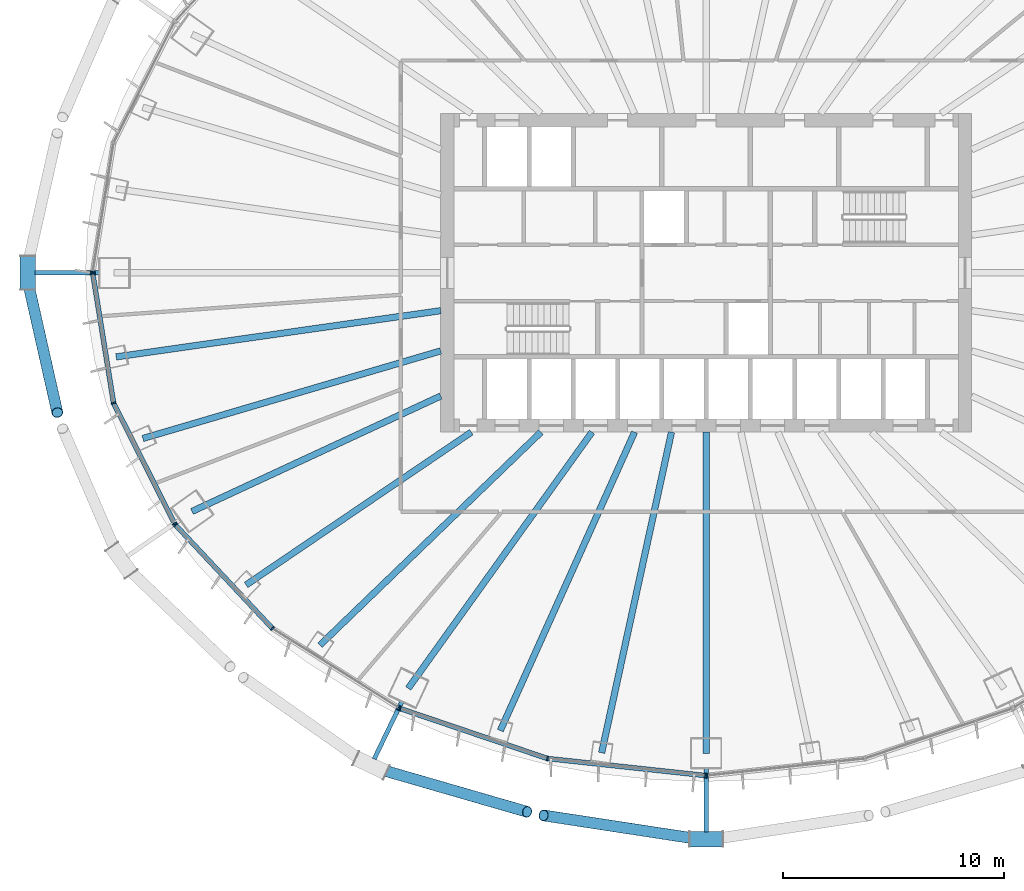
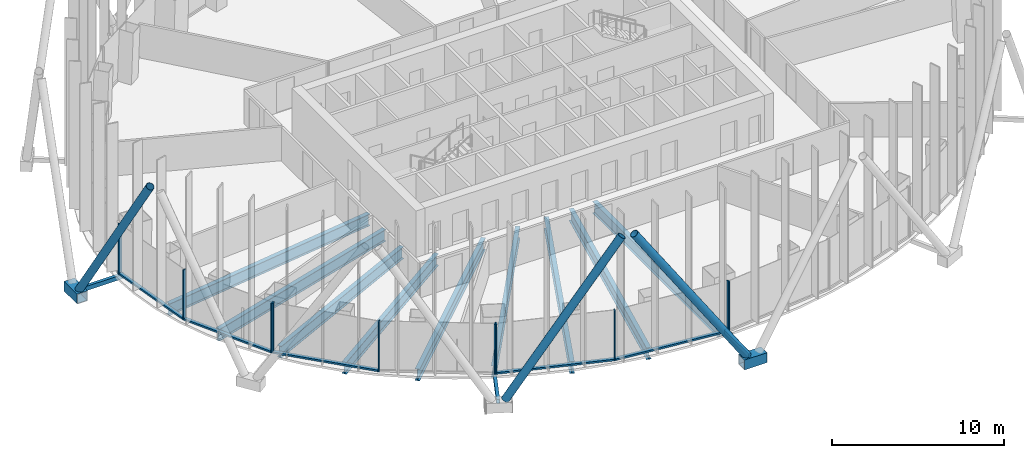
# One storey, part 2 of 22: 24 members, 9 beams, 5 elements without a shape of their own.
"""IFC4 building model written with IfcOpenShell, lengths in metres."""

from ifc_helpers import new_model, si_unit, direction, frame, origin, origin_2d, place, context, subcontext, project, spatial, rectangle, hollow_rectangle, hollow_circle, i_section, extrude, material, layer, layer_set, material_profile, profile_set, type_object, element, aggregate, save


model = new_model("IFC4")

# Units and contexts
model_context = context("Model", 3, precision=1e-05, world=origin(), true_north=direction((0.0, 1.0)))
body_context = subcontext(model_context, "Body", "Model", "MODEL_VIEW")
ifc_project = project(units=[si_unit("LENGTHUNIT", "METRE"), si_unit("AREAUNIT", "SQUARE_METRE"), si_unit("VOLUMEUNIT", "CUBIC_METRE"), si_unit("PLANEANGLEUNIT", "RADIAN"), si_unit("MASSUNIT", "GRAM", prefix="KILO")], contexts=[model_context])

# Site, building, storey
site_placement = place(None, origin())
site = spatial("IfcSite", under=ifc_project, at=site_placement, CompositionType="ELEMENT")
building_placement = place(site_placement, origin())
building = spatial("IfcBuilding", under=site, at=building_placement, Name="Siaravel Broadcast Tower", CompositionType="ELEMENT")
storey_placement = place(building_placement, frame((0.0, 0.0, 48.199951171875)))
storey = spatial("IfcBuildingStorey", under=building, at=storey_placement, Name="L10", CompositionType="ELEMENT", Elevation=48.199951171875)

# Beams
ifc_material_1 = material(Name="Steel S355", Category="steel")
ifc_material_profile_1 = material_profile(ifc_material_1, i_section(OverallWidth=0.291748046875, OverallDepth=0.8349609375, WebThickness=0.013916015625, FlangeThickness=0.018798828125, FilletRadius=0.017822265625, at=origin_2d()))
ifc_profile_set_1 = profile_set([ifc_material_profile_1], Name="Steel S355")
beam_type = type_object("IfcBeamType", Name="BM-UB 838x292x176", PredefinedType="BEAM", material=ifc_profile_set_1)
beam_1_placement = place(storey_placement, frame((-26.66845703125, -3.79638671875, -0.5673828125), z_axis=(0.99001891, 0.140934585, 0.0), x_axis=(-0.140934585, 0.99001891, 0.0)))
element("IfcBeam", 1, at=beam_1_placement, inside=storey, type_object=beam_type, Name="Radial beam RB20", PredefinedType="BEAM", context=body_context, shape_type="SweptSolid", body=[
    extrude(i_section(OverallWidth=0.291748046875, OverallDepth=0.8349609375, WebThickness=0.013916015625, FlangeThickness=0.018798828125, FilletRadius=0.017822265625, at=origin_2d()), origin(), (0.0, 0.0, 1.0), 14.81640625),
])
beam_2_placement = place(storey_placement, frame((-25.4619140625, -7.484130859375, -0.5673828125), z_axis=(0.959410927, 0.28201183, 0.0), x_axis=(-0.28201183, 0.959410927, 0.0)))
element("IfcBeam", 2, at=beam_2_placement, inside=storey, type_object=beam_type, Name="Radial beam RB21", PredefinedType="BEAM", context=body_context, shape_type="SweptSolid", body=[
    extrude(i_section(OverallWidth=0.291748046875, OverallDepth=0.8349609375, WebThickness=0.013916015625, FlangeThickness=0.018798828125, FilletRadius=0.017822265625, at=origin_2d()), origin(), (0.0, 0.0, 1.0), 14.031494140625),
])
beam_3_placement = place(storey_placement, frame((-23.240478515625, -10.7822265625, -0.5673828125), z_axis=(0.907130681, 0.420849055, 0.0), x_axis=(-0.420849055, 0.907130681, 0.0)))
element("IfcBeam", 3, at=beam_3_placement, inside=storey, type_object=beam_type, Name="Radial beam RB22", PredefinedType="BEAM", context=body_context, shape_type="SweptSolid", body=[
    extrude(i_section(OverallWidth=0.291748046875, OverallDepth=0.8349609375, WebThickness=0.013916015625, FlangeThickness=0.018798828125, FilletRadius=0.017822265625, at=origin_2d()), origin(), (0.0, 0.0, 1.0), 12.391357421875),
])
beam_4_placement = place(storey_placement, frame((-20.7939453125, -14.103515625, -0.5673828125), z_axis=(0.827598621, 0.561320338, 0.0), x_axis=(-0.561320338, 0.827598621, 0.0)))
element("IfcBeam", 4, at=beam_4_placement, inside=storey, type_object=beam_type, Name="Radial beam RB23", PredefinedType="BEAM", context=body_context, shape_type="SweptSolid", body=[
    extrude(i_section(OverallWidth=0.291748046875, OverallDepth=0.8349609375, WebThickness=0.013916015625, FlangeThickness=0.018798828125, FilletRadius=0.017822265625, at=origin_2d()), origin(), (0.0, 0.0, 1.0), 12.298828125),
])
beam_5_placement = place(storey_placement, frame((-17.4638671875, -16.8310546875, -0.5673828125), z_axis=(0.720030107, 0.693942825, 0.0), x_axis=(-0.693942825, 0.720030107, 0.0)))
element("IfcBeam", 5, at=beam_5_placement, inside=storey, type_object=beam_type, Name="Radial beam RB24", PredefinedType="BEAM", context=body_context, shape_type="SweptSolid", body=[
    extrude(i_section(OverallWidth=0.291748046875, OverallDepth=0.8349609375, WebThickness=0.013916015625, FlangeThickness=0.018798828125, FilletRadius=0.017822265625, at=origin_2d()), origin(), (0.0, 0.0, 1.0), 13.87890625),
])
beam_6_placement = place(storey_placement, frame((-13.466796875, -18.77880859375, -0.5673828125), z_axis=(0.582764, 0.812641446, 0.0), x_axis=(-0.812641446, 0.582764, 0.0)))
element("IfcBeam", 6, at=beam_6_placement, inside=storey, type_object=beam_type, Name="Radial beam RB25", PredefinedType="BEAM", context=body_context, shape_type="SweptSolid", body=[
    extrude(i_section(OverallWidth=0.291748046875, OverallDepth=0.8349609375, WebThickness=0.013916015625, FlangeThickness=0.018798828125, FilletRadius=0.017822265625, at=origin_2d()), origin(), (0.0, 0.0, 1.0), 14.24853515625),
])
beam_7_placement = place(storey_placement, frame((-9.304931640625, -20.6884765625, -0.5673828125), z_axis=(0.410185528, 0.912002101, 0.0), x_axis=(-0.912002101, 0.410185528, 0.0)))
element("IfcBeam", 7, at=beam_7_placement, inside=storey, type_object=beam_type, Name="Radial beam RB26", PredefinedType="BEAM", context=body_context, shape_type="SweptSolid", body=[
    extrude(i_section(OverallWidth=0.291748046875, OverallDepth=0.8349609375, WebThickness=0.013916015625, FlangeThickness=0.018798828125, FilletRadius=0.017822265625, at=origin_2d()), origin(), (0.0, 0.0, 1.0), 14.7900390625),
])
beam_8_placement = place(storey_placement, frame((-4.725830078125, -21.693359375, -0.5673828125), z_axis=(0.21284713, 0.977085513, 0.0), x_axis=(-0.977085513, 0.21284713, 0.0)))
element("IfcBeam", 8, at=beam_8_placement, inside=storey, type_object=beam_type, Name="Radial beam RB27", PredefinedType="BEAM", context=body_context, shape_type="SweptSolid", body=[
    extrude(i_section(OverallWidth=0.291748046875, OverallDepth=0.8349609375, WebThickness=0.013916015625, FlangeThickness=0.018798828125, FilletRadius=0.017822265625, at=origin_2d()), origin(), (0.0, 0.0, 1.0), 14.833251953125),
])
beam_9_placement = place(storey_placement, frame((0.0, -21.73193359375, -0.5673828125), z_axis=(0.0, 1.0, 0.0), x_axis=(-1.0, 0.0, 0.0)))
element("IfcBeam", 9, at=beam_9_placement, inside=storey, type_object=beam_type, Name="Radial beam RB28", PredefinedType="BEAM", context=body_context, shape_type="SweptSolid", body=[
    extrude(i_section(OverallWidth=0.291748046875, OverallDepth=0.8349609375, WebThickness=0.013916015625, FlangeThickness=0.018798828125, FilletRadius=0.017822265625, at=origin_2d()), origin(), (0.0, 0.0, 1.0), 14.531982421875),
])

# Curtain wall, member
ifc_material_2 = material(Name="Aluminium 6063-T6", Category="aluminium")
ifc_layer = layer(ifc_material_2, 0.219970703125)
ifc_layer_set = layer_set([ifc_layer], Name="Aluminium 6063-T6")
curtain_wall_type = type_object("IfcCurtainWallType", Name="Unitised curtain wall, zone 1", PredefinedType="NOTDEFINED", material=ifc_layer_set)
curtain_wall_1_placement = place(storey_placement, origin())
curtain_wall_1 = element("IfcCurtainWall", 10, at=curtain_wall_1_placement, inside=storey, type_object=curtain_wall_type, Name="L10 Unitised curtain wall, zone 1 06", PredefinedType="NOTDEFINED")
ifc_material_profile_2 = material_profile(ifc_material_2, rectangle(XDim=0.219970703125, YDim=0.070068359375, at=origin_2d()))
ifc_profile_set_2 = profile_set([ifc_material_profile_2], Name="Aluminium 6063-T6")
member_type_1 = type_object("IfcMemberType", Name="CW-Z1 mullion", PredefinedType="MULLION", material=ifc_profile_set_2)
member_1_placement = place(storey_placement, frame((-27.726318359375, 0.03466796875, 0.0), z_axis=(0.0, 0.0, 1.0), x_axis=(0.987329143, -0.158685735, 0.0)))
member_1 = element("IfcMember", 11, at=member_1_placement, type_object=member_type_1, Name="CW-Z1 mullion 3", PredefinedType="MULLION", context=body_context, shape_type="SweptSolid", body=[
    extrude(rectangle(XDim=0.219970703125, YDim=0.070068359375, at=origin_2d()), origin(), (0.0, 0.0, 1.0), 3.550048828125),
])
aggregate(curtain_wall_1, [member_1])

# Curtain wall, members
curtain_wall_2_placement = place(storey_placement, origin())
curtain_wall_2 = element("IfcCurtainWall", 12, at=curtain_wall_2_placement, inside=storey, type_object=curtain_wall_type, Name="L10 Unitised curtain wall, zone 1 07", PredefinedType="NOTDEFINED")
member_2_placement = place(storey_placement, frame((-27.726318359375, -0.03466796875, 0.0), z_axis=(0.0, 0.0, 1.0), x_axis=(0.987329143, 0.158685735, 0.0)))
member_2 = element("IfcMember", 13, at=member_2_placement, type_object=member_type_1, Name="CW-Z1 mullion 1", PredefinedType="MULLION", context=body_context, shape_type="SweptSolid", body=[
    extrude(rectangle(XDim=0.219970703125, YDim=0.070068359375, at=origin_2d()), origin(), (0.0, 0.0, 1.0), 3.550048828125),
])
member_3_placement = place(storey_placement, frame((-26.7861328125, -5.88427734375, 0.0), z_axis=(0.0, 0.0, 1.0), x_axis=(0.951177111, 0.308645596, 0.0)))
member_3 = element("IfcMember", 14, at=member_3_placement, type_object=member_type_1, Name="CW-Z1 mullion 2", PredefinedType="MULLION", context=body_context, shape_type="SweptSolid", body=[
    extrude(rectangle(XDim=0.219970703125, YDim=0.070068359375, at=origin_2d()), origin(), (0.0, 0.0, 1.0), 3.550048828125),
])
member_4_placement = place(storey_placement, frame((-24.02978515625, -11.3349609375, 0.0), z_axis=(0.0, 0.0, 1.0), x_axis=(0.892391886, 0.451261257, 0.0)))
member_4 = element("IfcMember", 15, at=member_4_placement, type_object=member_type_1, Name="CW-Z1 mullion 3", PredefinedType="MULLION", context=body_context, shape_type="SweptSolid", body=[
    extrude(rectangle(XDim=0.219970703125, YDim=0.070068359375, at=origin_2d()), origin(), (0.0, 0.0, 1.0), 3.550048828125),
])

curtain_wall_3_placement = place(storey_placement, origin())
curtain_wall_3 = element("IfcCurtainWall", 16, at=curtain_wall_3_placement, inside=storey, type_object=curtain_wall_type, Name="L10 Unitised curtain wall, zone 1 08", PredefinedType="NOTDEFINED")
member_5_placement = place(storey_placement, frame((-23.990234375, -11.3916015625, 0.0), z_axis=(0.0, 0.0, 1.0), x_axis=(0.729805061, 0.683655302, 0.0)))
member_5 = element("IfcMember", 17, at=member_5_placement, type_object=member_type_1, Name="CW-Z1 mullion 1", PredefinedType="MULLION", context=body_context, shape_type="SweptSolid", body=[
    extrude(rectangle(XDim=0.219970703125, YDim=0.070068359375, at=origin_2d()), origin(), (0.0, 0.0, 1.0), 3.550048828125),
])
member_6_placement = place(storey_placement, frame((-19.605712890625, -16.072021484375, 0.0), z_axis=(0.0, 0.0, 1.0), x_axis=(0.636218527, 0.771508902, 0.0)))
member_6 = element("IfcMember", 18, at=member_6_placement, type_object=member_type_1, Name="CW-Z1 mullion 2", PredefinedType="MULLION", context=body_context, shape_type="SweptSolid", body=[
    extrude(rectangle(XDim=0.219970703125, YDim=0.070068359375, at=origin_2d()), origin(), (0.0, 0.0, 1.0), 3.550048828125),
])
member_7_placement = place(storey_placement, frame((-13.89208984375, -19.663330078125, 0.0), z_axis=(0.0, 0.0, 1.0), x_axis=(0.532149214, 0.846650586, 0.0)))
member_7 = element("IfcMember", 19, at=member_7_placement, type_object=member_type_1, Name="CW-Z1 mullion 3", PredefinedType="MULLION", context=body_context, shape_type="SweptSolid", body=[
    extrude(rectangle(XDim=0.219970703125, YDim=0.070068359375, at=origin_2d()), origin(), (0.0, 0.0, 1.0), 3.550048828125),
])

curtain_wall_4_placement = place(storey_placement, origin())
curtain_wall_4 = element("IfcCurtainWall", 20, at=curtain_wall_4_placement, inside=storey, type_object=curtain_wall_type, Name="L10 Unitised curtain wall, zone 1 09", PredefinedType="NOTDEFINED")
member_8_placement = place(storey_placement, frame((-13.8291015625, -19.693115234375, 0.0), z_axis=(0.0, 0.0, 1.0), x_axis=(0.321300709, 0.94697722, 0.0)))
member_8 = element("IfcMember", 21, at=member_8_placement, type_object=member_type_1, Name="CW-Z1 mullion 1", PredefinedType="MULLION", context=body_context, shape_type="SweptSolid", body=[
    extrude(rectangle(XDim=0.219970703125, YDim=0.070068359375, at=origin_2d()), origin(), (0.0, 0.0, 1.0), 3.550048828125),
])
member_9_placement = place(storey_placement, frame((-7.17529296875, -21.95068359375, 0.0), z_axis=(0.0, 0.0, 1.0), x_axis=(0.215558136, 0.976491009, 0.0)))
member_9 = element("IfcMember", 22, at=member_9_placement, type_object=member_type_1, Name="CW-Z1 mullion 2", PredefinedType="MULLION", context=body_context, shape_type="SweptSolid", body=[
    extrude(rectangle(XDim=0.219970703125, YDim=0.070068359375, at=origin_2d()), origin(), (0.0, 0.0, 1.0), 3.550048828125),
])
member_10_placement = place(storey_placement, frame((-0.034912109375, -22.720703125, 0.0), z_axis=(0.0, 0.0, 1.0), x_axis=(0.107217536, 0.994235586, 0.0)))
member_10 = element("IfcMember", 23, at=member_10_placement, type_object=member_type_1, Name="CW-Z1 mullion 3", PredefinedType="MULLION", context=body_context, shape_type="SweptSolid", body=[
    extrude(rectangle(XDim=0.219970703125, YDim=0.070068359375, at=origin_2d()), origin(), (0.0, 0.0, 1.0), 3.550048828125),
])

# Curtain wall, member
curtain_wall_5_placement = place(storey_placement, origin())
curtain_wall_5 = element("IfcCurtainWall", 24, at=curtain_wall_5_placement, inside=storey, type_object=curtain_wall_type, Name="L10 Unitised curtain wall, zone 1 10", PredefinedType="NOTDEFINED")
member_11_placement = place(storey_placement, frame((0.034912109375, -22.720703125, 0.0), z_axis=(0.0, 0.0, 1.0), x_axis=(-0.107217536, 0.994235586, 0.0)))
member_11 = element("IfcMember", 25, at=member_11_placement, type_object=member_type_1, Name="CW-Z1 mullion 1", PredefinedType="MULLION", context=body_context, shape_type="SweptSolid", body=[
    extrude(rectangle(XDim=0.219970703125, YDim=0.070068359375, at=origin_2d()), origin(), (0.0, 0.0, 1.0), 3.550048828125),
])
aggregate(curtain_wall_5, [member_11])

# Member
ifc_material_profile_3 = material_profile(ifc_material_2, rectangle(XDim=0.219970703125, YDim=0.1201171875, at=origin_2d()))
ifc_profile_set_3 = profile_set([ifc_material_profile_3], Name="Aluminium 6063-T6")
member_type_2 = type_object("IfcMemberType", Name="CW-Z1 transom", PredefinedType="USERDEFINED", material=ifc_profile_set_3)
member_12_placement = place(storey_placement, frame((-27.720703125, -0.069091796875, 0.06005859375), z_axis=(0.158668659, -0.987331888, 0.0), x_axis=(0.987331888, 0.158668659, 0.0)))
member_12 = element("IfcMember", 26, at=member_12_placement, type_object=member_type_2, Name="CW-Z1 transom 1", ObjectType="TRANSOM", PredefinedType="USERDEFINED", context=body_context, shape_type="SweptSolid", body=[
    extrude(rectangle(XDim=0.219970703125, YDim=0.1201171875, at=origin_2d()), origin(), (0.0, 0.0, 1.0), 5.854736328125),
])

member_13_placement = place(storey_placement, frame((-26.7705078125, -5.915283203125, 0.06005859375), z_axis=(0.451268424, -0.892388262, 0.0), x_axis=(0.892388262, 0.451268424, 0.0)))
member_13 = element("IfcMember", 27, at=member_13_placement, type_object=member_type_2, Name="CW-Z1 transom 2", ObjectType="TRANSOM", PredefinedType="USERDEFINED", context=body_context, shape_type="SweptSolid", body=[
    extrude(rectangle(XDim=0.219970703125, YDim=0.1201171875, at=origin_2d()), origin(), (0.0, 0.0, 1.0), 6.038330078125),
])

aggregate(curtain_wall_2, [member_2, member_3, member_4, member_12, member_13])

member_14_placement = place(storey_placement, frame((-23.96630859375, -11.417236328125, 0.06005859375), z_axis=(0.683676063, -0.729785613, 0.0), x_axis=(0.729785613, 0.683676063, 0.0)))
member_14 = element("IfcMember", 28, at=member_14_placement, type_object=member_type_2, Name="CW-Z1 transom 1", ObjectType="TRANSOM", PredefinedType="USERDEFINED", context=body_context, shape_type="SweptSolid", body=[
    extrude(rectangle(XDim=0.219970703125, YDim=0.1201171875, at=origin_2d()), origin(), (0.0, 0.0, 1.0), 6.34326171875),
])

aggregate(curtain_wall_3, [member_5, member_6, member_7, member_14])

member_15_placement = place(storey_placement, frame((-13.7958984375, -19.70458984375, 0.06005859375), z_axis=(0.946974505, -0.321308709, 0.0), x_axis=(0.321308709, 0.946974505, 0.0)))
member_15 = element("IfcMember", 29, at=member_15_placement, type_object=member_type_2, Name="CW-Z1 transom 1", ObjectType="TRANSOM", PredefinedType="USERDEFINED", context=body_context, shape_type="SweptSolid", body=[
    extrude(rectangle(XDim=0.219970703125, YDim=0.1201171875, at=origin_2d()), origin(), (0.0, 0.0, 1.0), 6.956298828125),
])

member_16_placement = place(storey_placement, frame((-7.140380859375, -21.95458984375, 0.06005859375), z_axis=(0.994236456, -0.107209463, 0.0), x_axis=(0.107209463, 0.994236456, 0.0)))
member_16 = element("IfcMember", 30, at=member_16_placement, type_object=member_type_2, Name="CW-Z1 transom 2", ObjectType="TRANSOM", PredefinedType="USERDEFINED", context=body_context, shape_type="SweptSolid", body=[
    extrude(rectangle(XDim=0.219970703125, YDim=0.1201171875, at=origin_2d()), origin(), (0.0, 0.0, 1.0), 7.11181640625),
])

aggregate(curtain_wall_4, [member_8, member_9, member_10, member_15, member_16])

# Members
ifc_material_3 = material(Name="Steel S460", Category="steel")
ifc_material_profile_4 = material_profile(ifc_material_3, hollow_circle(Radius=0.25390625, WallThickness=0.02001953125, at=origin_2d()))
ifc_profile_set_4 = profile_set([ifc_material_profile_4], Name="Steel S460")
member_type_3 = type_object("IfcMemberType", Name="Diagrid diagonal CHS 508x20", PredefinedType="BRACE", material=ifc_profile_set_4)
member_17_placement = place(storey_placement, frame((-30.666015625, -0.37939453125, 0.1201171875), z_axis=(0.110574737, -0.490595958, 0.864343007), x_axis=(0.975528504, 0.219873005, 0.0)))
element("IfcMember", 31, at=member_17_placement, inside=storey, type_object=member_type_3, Name="Diagrid diagonal R05 station 36A", PredefinedType="BRACE", context=body_context, shape_type="SweptSolid", body=[
    extrude(hollow_circle(Radius=0.25390625, WallThickness=0.02001953125, at=origin_2d()), origin(), (0.0, 0.0, 1.0), 12.1015625),
])
member_18_placement = place(storey_placement, frame((-14.801513671875, -22.421875, 0.1201171875), z_axis=(0.533437744, -0.154110708, 0.831681467), x_axis=(0.277550409, 0.960711076, 0.0)))
element("IfcMember", 32, at=member_18_placement, inside=storey, type_object=member_type_3, Name="Diagrid diagonal R05 station 48A", PredefinedType="BRACE", context=body_context, shape_type="SweptSolid", body=[
    extrude(hollow_circle(Radius=0.25390625, WallThickness=0.02001953125, at=origin_2d()), origin(), (0.0, 0.0, 1.0), 12.576904296875),
])
member_19_placement = place(storey_placement, frame((-0.37939453125, -25.58935546875, 0.1201171875), z_axis=(-0.552638055, 0.084549346, 0.829121576), x_axis=(-0.151232576, -0.988498208, 0.0)))
element("IfcMember", 33, at=member_19_placement, inside=storey, type_object=member_type_3, Name="Diagrid diagonal R05 station 54C", PredefinedType="BRACE", context=body_context, shape_type="SweptSolid", body=[
    extrude(hollow_circle(Radius=0.25390625, WallThickness=0.02001953125, at=origin_2d()), origin(), (0.0, 0.0, 1.0), 12.61572265625),
])
ifc_material_profile_5 = material_profile(ifc_material_3, hollow_rectangle(XDim=0.699951171875, YDim=0.699951171875, WallThickness=0.0400390625, at=origin_2d()))
ifc_profile_set_5 = profile_set([ifc_material_profile_5], Name="Steel S460")
member_type_4 = type_object("IfcMemberType", Name="Diagrid node BOX 700x700x40", PredefinedType="USERDEFINED", material=ifc_profile_set_5)
for number, where, z_axis, x_axis, name in (
    (34, (-30.666015625, 0.75341796875, -0.199951171875), (0.0, -1.0, 0.0), (1.0, 0.0, 0.0), "Diagrid node R05 station 36"),
    (35, (-0.75341796875, -25.58935546875, -0.199951171875), (1.0, 0.0, 0.0), (0.0, 1.0, 0.0), "Diagrid node R05 station 54"),
):
    element("IfcMember", number, at=place(storey_placement, frame(where, z_axis=z_axis, x_axis=x_axis)), inside=storey, type_object=member_type_4, Name=name, ObjectType="DIAGRID NODE", PredefinedType="USERDEFINED", context=body_context, shape_type="SweptSolid", body=[
        extrude(hollow_rectangle(XDim=0.699951171875, YDim=0.699951171875, WallThickness=0.0400390625, at=origin_2d()), origin(), (0.0, 0.0, 1.0), 1.5068359375),
    ])
ifc_material_profile_6 = material_profile(ifc_material_3, hollow_rectangle(XDim=0.199951171875, YDim=0.300048828125, WallThickness=0.012451171875, at=origin_2d()))
ifc_profile_set_6 = profile_set([ifc_material_profile_6], Name="Steel S460")
member_type_5 = type_object("IfcMemberType", Name="Diagrid node arm RHS 300x200x12.5", PredefinedType="STRUT", material=ifc_profile_set_6)
member_20_placement = place(storey_placement, frame((-27.444091796875, 0.0, -0.199951171875), z_axis=(-1.0, 0.0, 0.0), x_axis=(0.0, -1.0, 0.0)))
element("IfcMember", 36, at=member_20_placement, inside=storey, type_object=member_type_5, Name="Node arm R05 station 36", PredefinedType="STRUT", context=body_context, shape_type="SweptSolid", body=[
    extrude(hollow_rectangle(XDim=0.199951171875, YDim=0.300048828125, WallThickness=0.012451171875, at=origin_2d()), origin(), (0.0, 0.0, 1.0), 2.902099609375),
])
member_21_placement = place(storey_placement, frame((-13.757568359375, -19.382080078125, -0.199951171875), z_axis=(-0.434188426, -0.900822075, 0.0), x_axis=(0.900822075, -0.434188426, 0.0)))
element("IfcMember", 37, at=member_21_placement, inside=storey, type_object=member_type_5, Name="Node arm R05 station 48", PredefinedType="STRUT", context=body_context, shape_type="SweptSolid", body=[
    extrude(hollow_rectangle(XDim=0.199951171875, YDim=0.300048828125, WallThickness=0.012451171875, at=origin_2d()), origin(), (0.0, 0.0, 1.0), 2.87451171875),
])
member_22_placement = place(storey_placement, frame((0.0, -22.402099609375, -0.199951171875), z_axis=(0.0, -1.0, 0.0), x_axis=(1.0, 0.0, 0.0)))
element("IfcMember", 38, at=member_22_placement, inside=storey, type_object=member_type_5, Name="Node arm R05 station 54", PredefinedType="STRUT", context=body_context, shape_type="SweptSolid", body=[
    extrude(hollow_rectangle(XDim=0.199951171875, YDim=0.300048828125, WallThickness=0.012451171875, at=origin_2d()), origin(), (0.0, 0.0, 1.0), 2.8671875),
])

save(model, "model.ifc")
